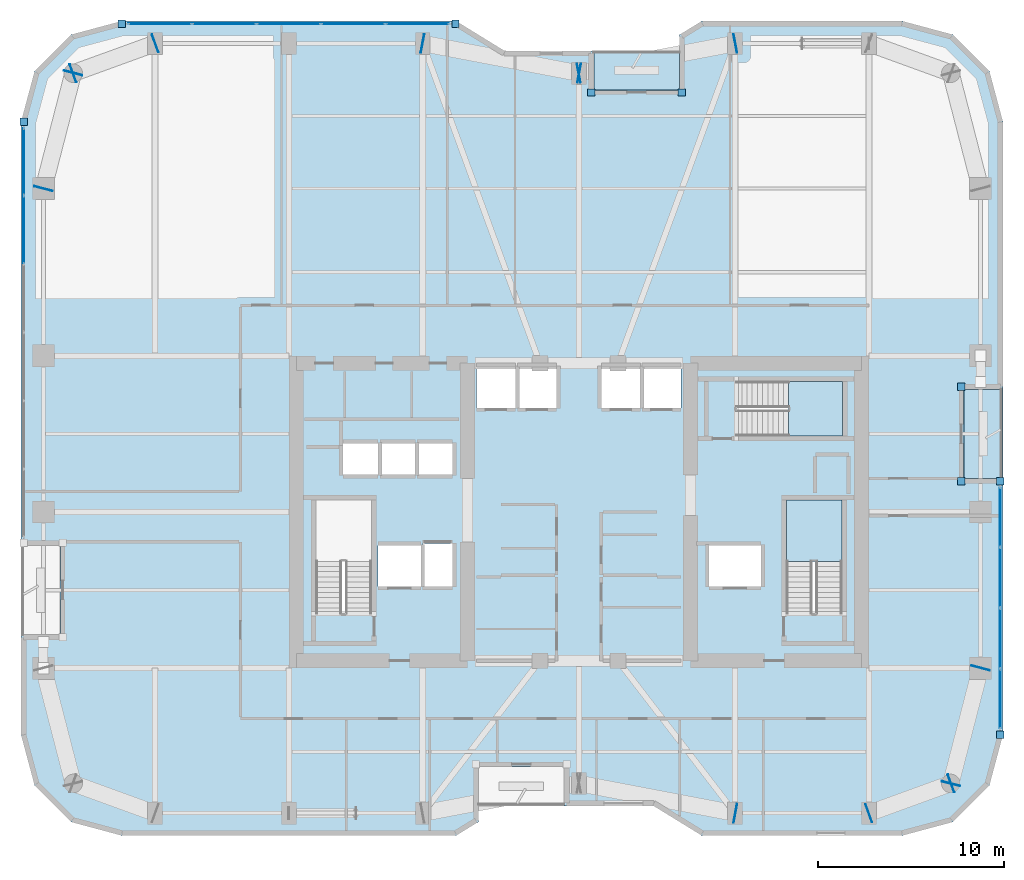
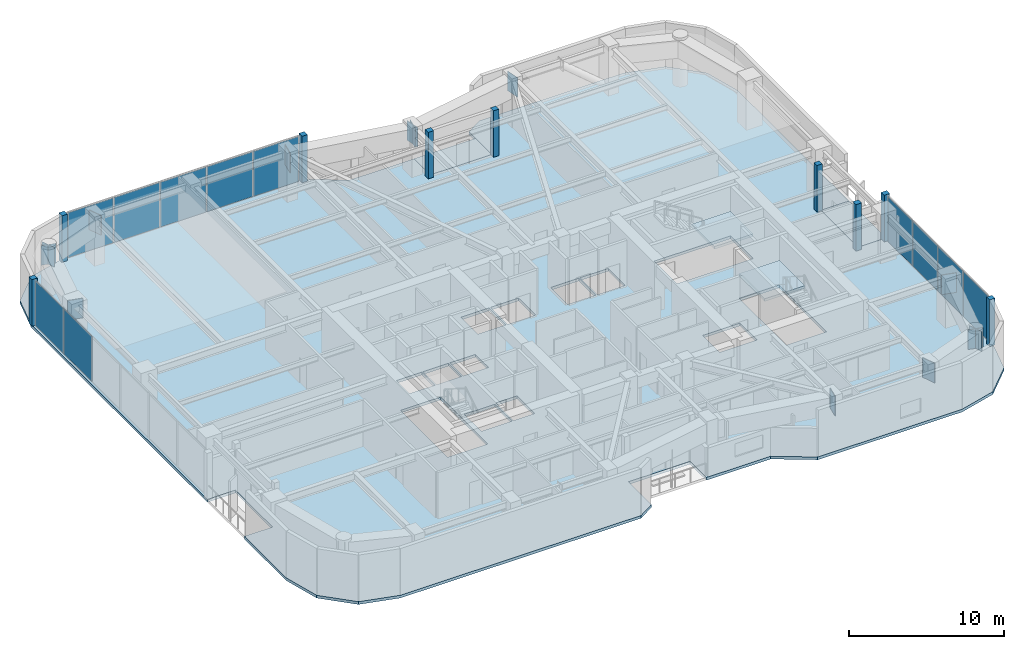
# One storey, part 22 of 30: 33 plates, 5 slabs, 5 elements without a shape of their own.
"""IFC4 building model written with IfcOpenShell, lengths in metres."""

from ifc_helpers import new_model, si_unit, direction, frame, origin, origin_2d, place, context, subcontext, project, spatial, polyline, rectangle, outline, extrude, material, layer, layer_set, type_object, element, aggregate, save


model = new_model("IFC4")

# Units and contexts
model_context = context("Model", 3, precision=1e-05, world=origin(), true_north=direction((0.0, 1.0)))
body_context = subcontext(model_context, "Body", "Model", "MODEL_VIEW")
ifc_project = project(units=[si_unit("LENGTHUNIT", "METRE"), si_unit("AREAUNIT", "SQUARE_METRE"), si_unit("VOLUMEUNIT", "CUBIC_METRE"), si_unit("PLANEANGLEUNIT", "RADIAN"), si_unit("MASSUNIT", "GRAM", prefix="KILO")], contexts=[model_context])

# Site, building, storey
site_placement = place(None, origin())
site = spatial("IfcSite", under=ifc_project, at=site_placement, CompositionType="ELEMENT")
building_placement = place(site_placement, origin())
building = spatial("IfcBuilding", under=site, at=building_placement, Name="Kiyonajd Concourse Tower", CompositionType="ELEMENT")
storey_placement = place(building_placement, frame((0.0, 0.0, 166.199951171875)))
storey = spatial("IfcBuildingStorey", under=building, at=storey_placement, Name="L42", CompositionType="ELEMENT", Elevation=166.199951171875)

# Plates
ifc_material_1 = material(Name="Steel ASTM A572 Grade 50", Category="steel")
ifc_layer_1 = layer(ifc_material_1, 0.031982421875)
ifc_layer_set_1 = layer_set([ifc_layer_1], Name="Steel ASTM A572 Grade 50")
plate_type_1 = type_object("IfcPlateType", Name="PL-CAP-540", PredefinedType="USERDEFINED", material=ifc_layer_set_1)
for number, where, z_axis, x_axis, name in (
    (1, (56.410888671875, 19.7978515625, 2.2099609375), (0.0, 0.0, 1.0), (0.982352599301, -0.187038420242, 0.0), "L42 Welded Box Girder End Cap"),
    (2, (63.589599609375, 19.796142578125, 2.2099609375), (0.0, 0.0, 1.0), (-0.939811951086, -0.341692107891, 0.0), "L42 Welded Box Girder End Cap"),
    (3, (68.01025390625, 21.40380859375, 2.2099609375), (0.0, 0.0, 1.0), (0.939811951086, 0.341692107891, 0.0), "L42 Welded Box Girder End Cap"),
    (4, (67.997314453125, 21.389404296875, 2.2099609375), (0.0, 0.0, 1.0), (-0.249873048837, -0.968278606324, 0.0), "L42 Welded Box Girder End Cap"),
    (5, (69.602783203125, 27.610595703125, 2.2099609375), (0.0, 0.0, 1.0), (0.249873048837, 0.968278606324, 0.0), "L42 Welded Box Girder End Cap"),
    (6, (56.410888671875, 61.2021484375, 2.2099609375), (0.0, 0.0, 1.0), (0.982352599301, 0.187038420242, 0.0), "L42 Welded Box Girder End Cap"),
    (7, (47.9892578125, 59.597900390625, 2.2099609375), (0.0, 0.0, 1.0), (-0.982352599301, -0.187038420242, 0.0), "L42 Welded Box Girder End Cap"),
    (8, (48.0107421875, 59.597900390625, 2.2099609375), (0.0, 0.0, 1.0), (0.982352599301, -0.187038420242, 0.0), "L42 Welded Box Girder End Cap"),
    (9, (39.589111328125, 61.2021484375, 2.2099609375), (0.0, 0.0, 1.0), (-0.982352599301, 0.187038420242, 0.0), "L42 Welded Box Girder End Cap"),
    (10, (25.210205078125, 61.203857421875, 2.2099609375), (0.0, 0.0, 1.0), (0.939811951086, 0.341692107891, 0.0), "L42 Welded Box Girder End Cap"),
    (11, (20.789794921875, 59.59619140625, 2.2099609375), (0.0, 0.0, 1.0), (-0.939811951086, -0.341692107891, 0.0), "L42 Welded Box Girder End Cap"),
    (12, (20.802734375, 59.610595703125, 2.2099609375), (0.0, 0.0, 1.0), (0.249873048837, 0.968278606324, 0.0), "L42 Welded Box Girder End Cap"),
    (13, (19.197265625, 53.389404296875, 2.2099609375), (0.0, 0.0, 1.0), (-0.249873048837, -0.968278606324, 0.0), "L42 Welded Box Girder End Cap"),
):
    element("IfcPlate", number, at=place(storey_placement, frame(where, z_axis=z_axis, x_axis=x_axis)), inside=storey, type_object=plate_type_1, Name=name, ObjectType="CAP PLATE", PredefinedType="USERDEFINED", context=body_context, shape_type="SweptSolid", body=[
        extrude(rectangle(XDim=0.035888671875, YDim=1.02001953125, at=origin_2d()), origin(), (0.0, 0.0, 1.0), 1.5400390625),
    ])

# Curtain wall, plates
ifc_material_2 = material(Name="Thermally Broken Anodised Aluminium", Category="aluminium")
ifc_layer_2 = layer(ifc_material_2, 0.179931640625)
ifc_layer_set_2 = layer_set([ifc_layer_2], Name="Thermally Broken Anodised Aluminium")
curtain_wall_type = type_object("IfcCurtainWallType", Name="CW-SYS-03", PredefinedType="NOTDEFINED", material=ifc_layer_set_2)
curtain_wall_1_placement = place(storey_placement, origin())
curtain_wall_1 = element("IfcCurtainWall", 14, at=curtain_wall_1_placement, inside=storey, type_object=curtain_wall_type, Name="L42 Unitised Curtain Wall CW3", PredefinedType="NOTDEFINED")
ifc_material_3 = material(Name="Double Low-E Insulated Glass", Category="glass")
ifc_layer_3 = layer(ifc_material_3, 0.033935546875)
ifc_layer_set_3 = layer_set([ifc_layer_3], Name="Double Low-E Insulated Glass")
plate_type_2 = type_object("IfcPlateType", Name="PL-CW-VIS34", PredefinedType="CURTAIN_PANEL", material=ifc_layer_set_3)
plate_1_placement = place(storey_placement, frame((18.139892578125, 51.17626953125, 0.06494140625), z_axis=(0.0, 0.0, 1.0), x_axis=(0.0, 1.0, 0.0)))
plate_1 = element("IfcPlate", 15, at=plate_1_placement, type_object=plate_type_2, Name="CW3 panel 5.1", PredefinedType="CURTAIN_PANEL", context=body_context, shape_type="SweptSolid", body=[
    extrude(rectangle(XDim=3.61181640625, YDim=0.033935546875, at=origin_2d()), origin(), (0.0, 0.0, 1.0), 3.550048828125),
])
plate_2_placement = place(storey_placement, frame((18.139892578125, 54.8369140625, 0.06494140625), z_axis=(0.0, 0.0, 1.0), x_axis=(0.0, 1.0, 0.0)))
plate_2 = element("IfcPlate", 16, at=plate_2_placement, type_object=plate_type_2, Name="CW3 panel 6.1", PredefinedType="CURTAIN_PANEL", context=body_context, shape_type="SweptSolid", body=[
    extrude(rectangle(XDim=3.579345703125, YDim=0.033935546875, at=origin_2d()), origin(), (0.0, 0.0, 1.0), 3.550048828125),
])
aggregate(curtain_wall_1, [plate_1, plate_2])

curtain_wall_2_placement = place(storey_placement, origin())
curtain_wall_2 = element("IfcCurtainWall", 17, at=curtain_wall_2_placement, inside=storey, type_object=curtain_wall_type, Name="L42 Unitised Curtain Wall CW3", PredefinedType="NOTDEFINED")
plate_3_placement = place(storey_placement, frame((25.4609375, 62.260009765625, 0.06494140625), z_axis=(0.0, 0.0, 1.0), x_axis=(1.0, 0.0, 0.0)))
plate_3 = element("IfcPlate", 18, at=plate_3_placement, type_object=plate_type_2, Name="CW3 panel 1.1", PredefinedType="CURTAIN_PANEL", context=body_context, shape_type="SweptSolid", body=[
    extrude(rectangle(XDim=3.375, YDim=0.033935546875, at=origin_2d()), origin(), (0.0, 0.0, 1.0), 3.550048828125),
])
plate_4_placement = place(storey_placement, frame((28.9169921875, 62.260009765625, 0.06494140625), z_axis=(0.0, 0.0, 1.0), x_axis=(1.0, 0.0, 0.0)))
plate_4 = element("IfcPlate", 19, at=plate_4_placement, type_object=plate_type_2, Name="CW3 panel 2.1", PredefinedType="CURTAIN_PANEL", context=body_context, shape_type="SweptSolid", body=[
    extrude(rectangle(XDim=3.407470703125, YDim=0.033935546875, at=origin_2d()), origin(), (0.0, 0.0, 1.0), 3.550048828125),
])
plate_5_placement = place(storey_placement, frame((32.389404296875, 62.260009765625, 0.06494140625), z_axis=(0.0, 0.0, 1.0), x_axis=(1.0, 0.0, 0.0)))
plate_5 = element("IfcPlate", 20, at=plate_5_placement, type_object=plate_type_2, Name="CW3 panel 3.1", PredefinedType="CURTAIN_PANEL", context=body_context, shape_type="SweptSolid", body=[
    extrude(rectangle(XDim=3.407470703125, YDim=0.033935546875, at=origin_2d()), origin(), (0.0, 0.0, 1.0), 3.550048828125),
])
plate_6_placement = place(storey_placement, frame((35.86181640625, 62.260009765625, 0.06494140625), z_axis=(0.0, 0.0, 1.0), x_axis=(1.0, 0.0, 0.0)))
plate_6 = element("IfcPlate", 21, at=plate_6_placement, type_object=plate_type_2, Name="CW3 panel 4.1", PredefinedType="CURTAIN_PANEL", context=body_context, shape_type="SweptSolid", body=[
    extrude(rectangle(XDim=3.407470703125, YDim=0.033935546875, at=origin_2d()), origin(), (0.0, 0.0, 1.0), 3.550048828125),
])
plate_7_placement = place(storey_placement, frame((39.31787109375, 62.260009765625, 0.06494140625), z_axis=(0.0, 0.0, 1.0), x_axis=(1.0, 0.0, 0.0)))
plate_7 = element("IfcPlate", 22, at=plate_7_placement, type_object=plate_type_2, Name="CW3 panel 5.1", PredefinedType="CURTAIN_PANEL", context=body_context, shape_type="SweptSolid", body=[
    extrude(rectangle(XDim=3.375, YDim=0.033935546875, at=origin_2d()), origin(), (0.0, 0.0, 1.0), 3.550048828125),
])
aggregate(curtain_wall_2, [plate_3, plate_4, plate_5, plate_6, plate_7])

curtain_wall_3_placement = place(storey_placement, origin())
curtain_wall_3 = element("IfcCurtainWall", 23, at=curtain_wall_3_placement, inside=storey, type_object=curtain_wall_type, Name="L42 Unitised Curtain Wall CW3", PredefinedType="NOTDEFINED")
plate_8_placement = place(storey_placement, frame((70.659912109375, 35.720947265625, 0.06494140625), z_axis=(0.0, 0.0, 1.0), x_axis=(0.0, -1.0, 0.0)))
plate_8 = element("IfcPlate", 24, at=plate_8_placement, type_object=plate_type_2, Name="CW3 panel 1.1", PredefinedType="CURTAIN_PANEL", context=body_context, shape_type="SweptSolid", body=[
    extrude(rectangle(XDim=3.16796875, YDim=0.033935546875, at=origin_2d()), origin(), (0.0, 0.0, 1.0), 3.550048828125),
])
plate_9_placement = place(storey_placement, frame((70.659912109375, 32.471923828125, 0.06494140625), z_axis=(0.0, 0.0, 1.0), x_axis=(0.0, -1.0, 0.0)))
plate_9 = element("IfcPlate", 25, at=plate_9_placement, type_object=plate_type_2, Name="CW3 panel 2.1", PredefinedType="CURTAIN_PANEL", context=body_context, shape_type="SweptSolid", body=[
    extrude(rectangle(XDim=3.200439453125, YDim=0.033935546875, at=origin_2d()), origin(), (0.0, 0.0, 1.0), 3.550048828125),
])
plate_10_placement = place(storey_placement, frame((70.659912109375, 29.20654296875, 0.06494140625), z_axis=(0.0, 0.0, 1.0), x_axis=(0.0, -1.0, 0.0)))
plate_10 = element("IfcPlate", 26, at=plate_10_placement, type_object=plate_type_2, Name="CW3 panel 3.1", PredefinedType="CURTAIN_PANEL", context=body_context, shape_type="SweptSolid", body=[
    extrude(rectangle(XDim=3.200439453125, YDim=0.033935546875, at=origin_2d()), origin(), (0.0, 0.0, 1.0), 3.550048828125),
])
plate_11_placement = place(storey_placement, frame((70.659912109375, 25.957275390625, 0.06494140625), z_axis=(0.0, 0.0, 1.0), x_axis=(0.0, -1.0, 0.0)))
plate_11 = element("IfcPlate", 27, at=plate_11_placement, type_object=plate_type_2, Name="CW3 panel 4.1", PredefinedType="CURTAIN_PANEL", context=body_context, shape_type="SweptSolid", body=[
    extrude(rectangle(XDim=3.16796875, YDim=0.033935546875, at=origin_2d()), origin(), (0.0, 0.0, 1.0), 3.550048828125),
])
aggregate(curtain_wall_3, [plate_8, plate_9, plate_10, plate_11])

# Plates
ifc_layer_4 = layer(ifc_material_2, 0.39990234375)
ifc_layer_set_4 = layer_set([ifc_layer_4], Name="Thermally Broken Anodised Aluminium")
plate_type_3 = type_object("IfcPlateType", Name="PL-JMB-400", PredefinedType="USERDEFINED", material=ifc_layer_set_4)
for number, where, z_axis, x_axis, name in (
    (28, (18.139892578125, 56.981689453125, 0.0), (0.0, 0.0, 1.0), (1.0, 0.0, 0.0), "L42 Facade Jamb Closure Plate 04"),
    (29, (23.41845703125, 62.260009765625, 0.0), (0.0, 0.0, 1.0), (1.0, 0.0, 0.0), "L42 Facade Jamb Closure Plate 05"),
    (30, (41.3603515625, 62.260009765625, 0.0), (0.0, 0.0, 1.0), (1.0, 0.0, 0.0), "L42 Facade Jamb Closure Plate 06"),
    (31, (48.659912109375, 58.56005859375, 0.0), (0.0, 0.0, 1.0), (1.0, 0.0, 0.0), "L42 Facade Jamb Closure Plate 07"),
    (32, (53.5400390625, 58.56005859375, 0.0), (0.0, 0.0, 1.0), (1.0, 0.0, 0.0), "L42 Facade Jamb Closure Plate 08"),
    (33, (68.56005859375, 42.739990234375, 0.0), (0.0, 0.0, 1.0), (1.0, 0.0, 0.0), "L42 Facade Jamb Closure Plate 09"),
    (34, (68.56005859375, 37.659912109375, 0.0), (0.0, 0.0, 1.0), (1.0, 0.0, 0.0), "L42 Facade Jamb Closure Plate 10"),
    (35, (70.659912109375, 37.659912109375, 0.0), (0.0, 0.0, 1.0), (1.0, 0.0, 0.0), "L42 Facade Jamb Closure Plate 11"),
    (36, (70.659912109375, 24.018310546875, 0.0), (0.0, 0.0, 1.0), (1.0, 0.0, 0.0), "L42 Facade Jamb Closure Plate 12"),
):
    element("IfcPlate", number, at=place(storey_placement, frame(where, z_axis=z_axis, x_axis=x_axis)), inside=storey, type_object=plate_type_3, Name=name, ObjectType="JAMB PLATE", PredefinedType="USERDEFINED", context=body_context, shape_type="SweptSolid", body=[
        extrude(rectangle(XDim=0.39990234375, YDim=0.39990234375, at=origin_2d()), origin(), (0.0, 0.0, 1.0), 3.679931640625),
    ])

# Stair, slab
ifc_material_4 = material(Name="Concrete C40/50", Category="concrete")
stair_type = type_object("IfcStairType", Name="ST-DLG-22R", PredefinedType="HALF_TURN_STAIR", material=ifc_material_4)
stair_1_placement = place(storey_placement, origin())
stair_1 = element("IfcStair", 37, at=stair_1_placement, inside=storey, type_object=stair_type, Name="L42 Protected Exit Stair ST2", PredefinedType="HALF_TURN_STAIR")
ifc_layer_5 = layer(ifc_material_4, 0.199951171875)
ifc_layer_set_5 = layer_set([ifc_layer_5], Name="Concrete C40/50")
slab_type_1 = type_object("IfcSlabType", Name="SL-LND-200", PredefinedType="LANDING", material=ifc_layer_set_5)
slab_1_placement = place(storey_placement, frame((0.0, 0.0, 1.75)))
slab_1 = element("IfcSlab", 38, at=slab_1_placement, type_object=slab_type_1, Name="ST2 landing 1", PredefinedType="LANDING", context=body_context, shape_type="SweptSolid", body=[
    extrude(outline(polyline([(62.14990234375, 33.35009765625), (62.14990234375, 36.64990234375), (59.14990234375, 36.64990234375), (59.14990234375, 33.35009765625), (62.14990234375, 33.35009765625)])), origin(), (0.0, 0.0, 1.0), 0.199951171875),
])
aggregate(stair_1, [slab_1])

stair_2_placement = place(storey_placement, origin())
stair_2 = element("IfcStair", 39, at=stair_2_placement, inside=storey, type_object=stair_type, Name="L42 Protected Exit Stair ST3", PredefinedType="HALF_TURN_STAIR")
slab_2_placement = place(storey_placement, frame((0.0, 0.0, 1.75)))
slab_2 = element("IfcSlab", 40, at=slab_2_placement, type_object=slab_type_1, Name="ST3 landing 1", PredefinedType="LANDING", context=body_context, shape_type="SweptSolid", body=[
    extrude(outline(polyline([(59.280029296875, 40.080078125), (62.179931640625, 40.080078125), (62.179931640625, 43.02001953125), (59.280029296875, 43.02001953125), (59.280029296875, 40.080078125)])), origin(), (0.0, 0.0, 1.0), 0.199951171875),
])
aggregate(stair_2, [slab_2])

# Slabs
ifc_material_5 = material(Name="Precast concrete C50/60", Category="concrete")
ifc_layer_6 = layer(ifc_material_5, 0.199951171875)
ifc_layer_set_6 = layer_set([ifc_layer_6], Name="Precast concrete C50/60")
slab_type_2 = type_object("IfcSlabType", Name="SL-LOG-200", PredefinedType="FLOOR", material=ifc_layer_set_6)
slab_3_placement = place(storey_placement, frame((0.0, 0.0, -0.199951171875)))
element("IfcSlab", 41, at=slab_3_placement, inside=storey, type_object=slab_type_2, Name="L42 Recessed Engawa Loggia Terrace Slab LOG-N", PredefinedType="FLOOR", context=body_context, shape_type="SweptSolid", body=[
    extrude(outline(polyline([(48.800048828125, 58.699951171875), (53.39990234375, 58.699951171875), (53.39990234375, 60.800048828125), (48.800048828125, 60.800048828125), (48.800048828125, 58.699951171875)])), origin(), (0.0, 0.0, 1.0), 0.199951171875),
])
slab_4_placement = place(storey_placement, frame((0.0, 0.0, -0.199951171875)))
element("IfcSlab", 42, at=slab_4_placement, inside=storey, type_object=slab_type_2, Name="L42 Recessed Engawa Loggia Terrace Slab LOG-E", PredefinedType="FLOOR", context=body_context, shape_type="SweptSolid", body=[
    extrude(outline(polyline([(68.699951171875, 37.800048828125), (70.800048828125, 37.800048828125), (70.800048828125, 42.60009765625), (68.699951171875, 42.60009765625), (68.699951171875, 37.800048828125)])), origin(), (0.0, 0.0, 1.0), 0.199951171875),
])
ifc_layer_7 = layer(ifc_material_4, 0.219970703125)
ifc_layer_set_7 = layer_set([ifc_layer_7], Name="Concrete C40/50")
slab_type_3 = type_object("IfcSlabType", Name="SL-TWR-220", PredefinedType="FLOOR", material=ifc_layer_set_7)
slab_5_placement = place(storey_placement, frame((0.0, 0.0, -0.219970703125)))
element("IfcSlab", 43, at=slab_5_placement, inside=storey, type_object=slab_type_3, Name="L42 Tower Conditioned Floor Slab", PredefinedType="FLOOR", context=body_context, shape_type="SweptSolid", body=[
    extrude(outline(polyline([(18.722900390625, 21.300048828125), (18.0, 24.0), (18.0, 29.39990234375), (20.10009765625, 29.39990234375), (20.10009765625, 34.199951171875), (18.0, 34.199951171875), (18.0, 57.0), (18.722900390625, 59.699951171875), (20.699951171875, 61.677001953125), (23.39990234375, 62.39990234375), (41.39990234375, 62.39990234375), (44.0, 60.800048828125), (48.800048828125, 60.800048828125), (48.800048828125, 58.699951171875), (53.39990234375, 58.699951171875), (53.39990234375, 61.662109375), (54.60009765625, 62.39990234375), (65.39990234375, 62.39990234375), (68.10009765625, 61.677001953125), (70.076904296875, 59.699951171875), (70.800048828125, 57.0), (70.800048828125, 42.60009765625), (68.699951171875, 42.60009765625), (68.699951171875, 37.800048828125), (70.800048828125, 37.800048828125), (70.800048828125, 24.0), (70.076904296875, 21.300048828125), (68.10009765625, 19.322998046875), (65.39990234375, 18.60009765625), (54.60009765625, 18.60009765625), (52.0, 20.199951171875), (47.199951171875, 20.199951171875), (47.199951171875, 22.300048828125), (42.60009765625, 22.300048828125), (42.60009765625, 19.337890625), (41.39990234375, 18.60009765625), (23.39990234375, 18.60009765625), (20.699951171875, 19.322998046875), (18.722900390625, 21.300048828125)]), holes=[polyline([(39.5, 32.0), (37.199951171875, 32.0), (37.199951171875, 34.199951171875), (39.5, 34.199951171875), (39.5, 32.0)]), polyline([(39.60009765625, 32.0), (39.60009765625, 34.300048828125), (41.199951171875, 34.300048828125), (41.199951171875, 32.0), (39.60009765625, 32.0)]), polyline([(33.85009765625, 30.550048828125), (33.85009765625, 36.64990234375), (36.85009765625, 36.64990234375), (36.85009765625, 30.550048828125), (33.85009765625, 30.550048828125)]), polyline([(37.199951171875, 38.0), (35.300048828125, 38.0), (35.300048828125, 39.699951171875), (37.199951171875, 39.699951171875), (37.199951171875, 38.0)]), polyline([(37.300048828125, 38.0), (37.300048828125, 39.699951171875), (39.199951171875, 39.699951171875), (39.199951171875, 38.0), (37.300048828125, 38.0)]), polyline([(39.300048828125, 38.0), (39.300048828125, 39.699951171875), (41.199951171875, 39.699951171875), (41.199951171875, 38.0), (39.300048828125, 38.0)]), polyline([(44.60009765625, 41.60009765625), (42.5, 41.60009765625), (42.5, 43.800048828125), (44.60009765625, 43.800048828125), (44.60009765625, 41.60009765625)]), polyline([(55.0, 32.0), (55.0, 34.199951171875), (57.800048828125, 34.199951171875), (57.800048828125, 32.0), (55.0, 32.0)]), polyline([(59.14990234375, 30.550048828125), (59.14990234375, 36.64990234375), (62.14990234375, 36.64990234375), (62.14990234375, 30.550048828125), (59.14990234375, 30.550048828125)]), polyline([(56.47998046875, 43.02001953125), (62.179931640625, 43.02001953125), (62.179931640625, 40.080078125), (56.47998046875, 40.080078125), (56.47998046875, 43.02001953125)]), polyline([(44.699951171875, 41.60009765625), (44.699951171875, 43.800048828125), (46.800048828125, 43.800048828125), (46.800048828125, 41.60009765625), (44.699951171875, 41.60009765625)]), polyline([(49.199951171875, 41.60009765625), (49.199951171875, 43.800048828125), (51.300048828125, 43.800048828125), (51.300048828125, 41.60009765625), (49.199951171875, 41.60009765625)]), polyline([(51.39990234375, 41.60009765625), (51.39990234375, 43.800048828125), (53.5, 43.800048828125), (53.5, 41.60009765625), (51.39990234375, 41.60009765625)])]), origin(), (0.0, 0.0, 1.0), 0.219970703125),
])

save(model, "model.ifc")
